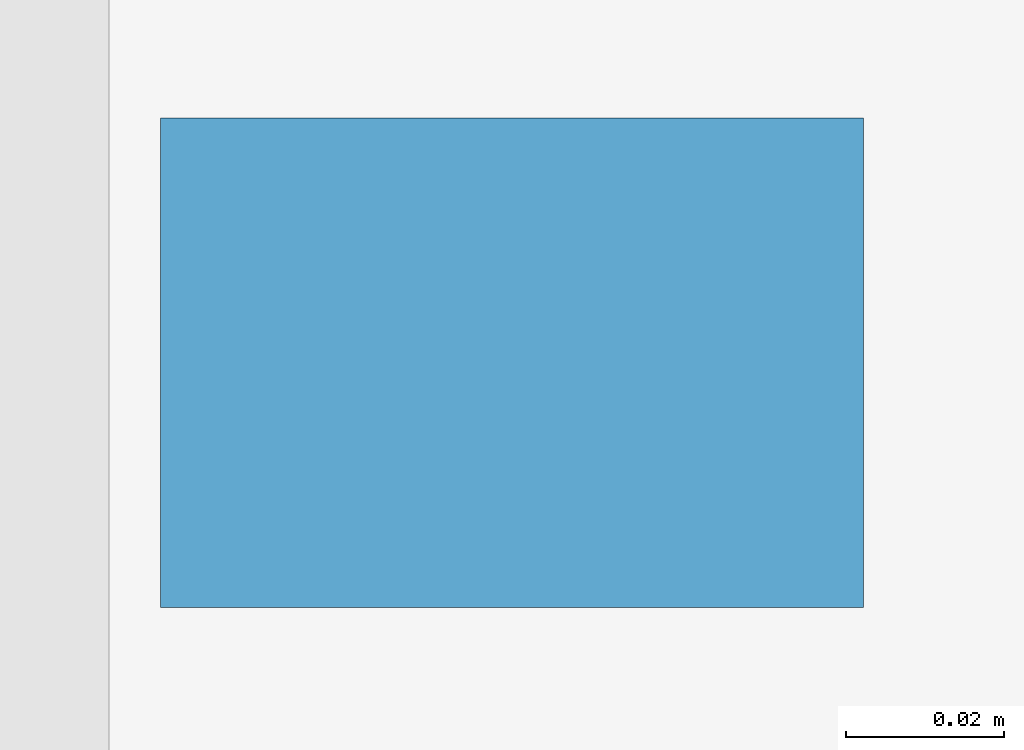
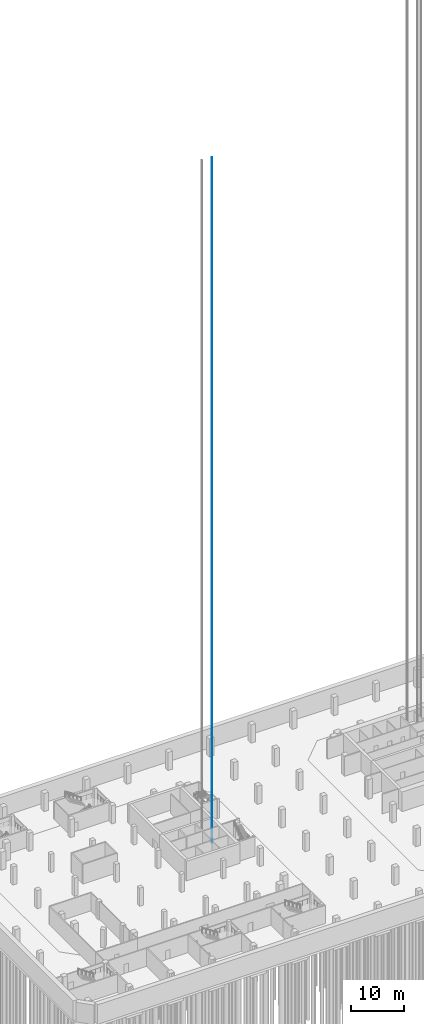
# One storey, part 6 of 30: 1 member.
"""IFC4 building model written with IfcOpenShell, lengths in metres."""

from ifc_helpers import new_model, si_unit, direction, frame, origin, origin_2d, place, context, subcontext, project, spatial, rectangle, extrude, material, material_profile, profile_set, type_object, element, save


model = new_model("IFC4")

# Units and contexts
model_context = context("Model", 3, precision=1e-05, world=origin(), true_north=direction((0.0, 1.0)))
body_context = subcontext(model_context, "Body", "Model", "MODEL_VIEW")
ifc_project = project(units=[si_unit("LENGTHUNIT", "METRE"), si_unit("AREAUNIT", "SQUARE_METRE"), si_unit("VOLUMEUNIT", "CUBIC_METRE"), si_unit("PLANEANGLEUNIT", "RADIAN"), si_unit("MASSUNIT", "GRAM", prefix="KILO")], contexts=[model_context])

# Site, building, storey
site_placement = place(None, origin())
site = spatial("IfcSite", under=ifc_project, at=site_placement, CompositionType="ELEMENT")
building_placement = place(site_placement, origin())
building = spatial("IfcBuilding", under=site, at=building_placement, Name="Cinnabar Reach Civic Tower", CompositionType="ELEMENT")
storey_placement = place(building_placement, frame((0.0, 0.0, -14.0)))
storey = spatial("IfcBuildingStorey", under=building, at=storey_placement, Name="B3", CompositionType="ELEMENT", Elevation=-14.0)

# Member
ifc_material = material(Name="Steel Q355B", Category="steel")
ifc_material_profile = material_profile(ifc_material, rectangle(XDim=0.089, YDim=0.062, at=origin_2d()), Name="T89")
ifc_profile_set = profile_set([ifc_material_profile], Name="Steel Q355B")
member_type = type_object("IfcMemberType", Name="Lift guide rail T89", PredefinedType="MEMBER", material=ifc_profile_set)
member_placement = place(storey_placement, frame((-32.149, 28.875, 0.0), z_axis=(0.0, 0.0, 1.0), x_axis=(1.0, 0.0, 0.0)))
element("IfcMember", 1, at=member_placement, inside=storey, type_object=member_type, Name="Lift guide rail 2", PredefinedType="MEMBER", context=body_context, shape_type="SweptSolid", body=[
    extrude(rectangle(XDim=0.089, YDim=0.062, at=origin_2d()), origin(), (0.0, 0.0, 1.0), 157.55),
])

save(model, "model.ifc")
